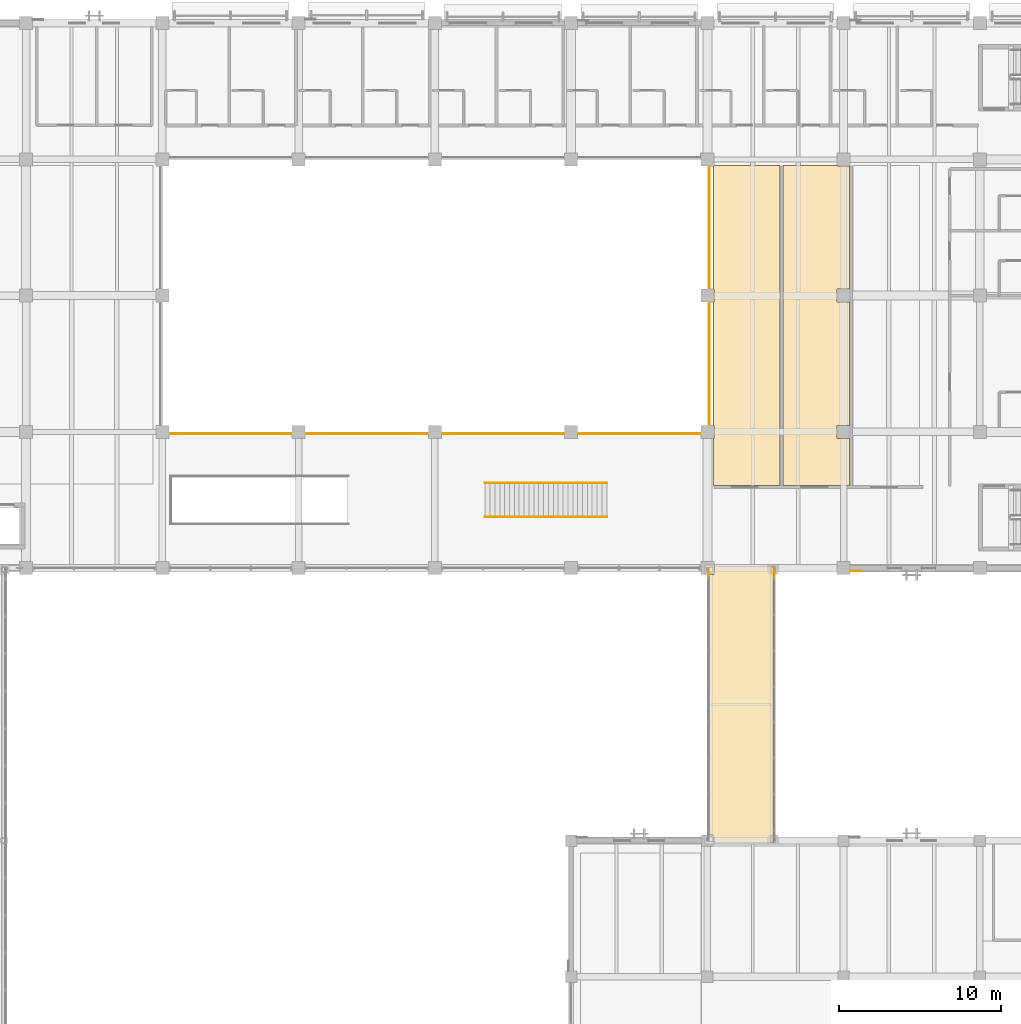
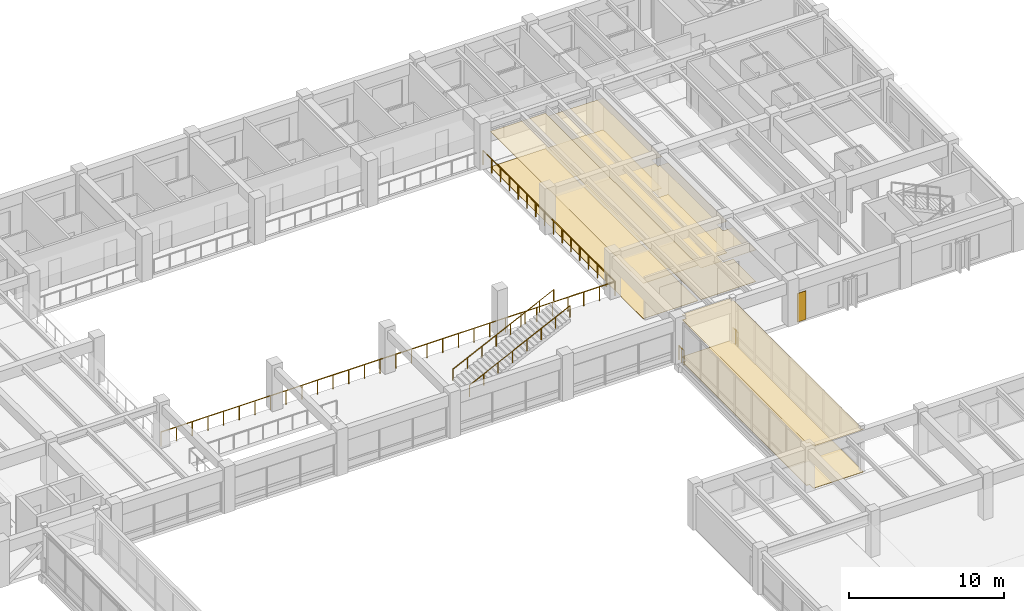
# One storey, part 115 of 118: 7 coverings, 6 railings.
"""IFC4 building model written with IfcOpenShell, lengths in metres."""

from ifc_helpers import new_model, si_unit, direction, frame, origin, origin_2d, place, context, subcontext, project, spatial, polyline, circle, outline, extrude, material, layer, layer_set, type_object, element, save


model = new_model("IFC4")

# Units and contexts
model_context = context("Model", 3, precision=1e-05, world=origin(), true_north=direction((0.0, 1.0)))
body_context = subcontext(model_context, "Body", "Model", "MODEL_VIEW")
ifc_project = project(units=[si_unit("LENGTHUNIT", "METRE"), si_unit("AREAUNIT", "SQUARE_METRE"), si_unit("VOLUMEUNIT", "CUBIC_METRE"), si_unit("PLANEANGLEUNIT", "RADIAN"), si_unit("MASSUNIT", "GRAM", prefix="KILO")], contexts=[model_context])

# Site, building, storey
site_placement = place(None, origin())
site = spatial("IfcSite", under=ifc_project, at=site_placement, CompositionType="ELEMENT")
building_placement = place(site_placement, origin())
building = spatial("IfcBuilding", under=site, at=building_placement, Name="Cumbredor Promenade Congress Hotel", CompositionType="ELEMENT")
storey_placement = place(building_placement, frame((0.0, 0.0, 3.919921875)))
storey = spatial("IfcBuildingStorey", under=building, at=storey_placement, Name="L01", CompositionType="ELEMENT", Elevation=3.919921875)

# Coverings
ifc_material_1 = material(Name="Acoustic mineral-fiber and gypsum ceiling")
ifc_layer_1 = layer(ifc_material_1, 0.01806640625, Name="Acoustic mineral-fiber and gypsum ceiling")
ifc_layer_set_1 = layer_set([ifc_layer_1], Name="Acoustic mineral-fiber and gypsum ceiling")
covering_type_1 = type_object("IfcCoveringType", Name="Acoustic Perforated Gypsum Ceiling CLG-01 18mm", PredefinedType="CEILING", material=ifc_layer_set_1)
covering_1_placement = place(storey_placement, frame((0.0, 0.0, 2.4931640625)))
element("IfcCovering", 1, at=covering_1_placement, inside=storey, type_object=covering_type_1, Name="L01 East Breakout Seminar Suite 4 Acoustic Ceiling", PredefinedType="CEILING", context=body_context, shape_type="SweptSolid", body=[
    extrude(outline(polyline([(159.969970703125, 101.205078125), (159.195068359375, 101.205078125), (159.195068359375, 100.39501953125), (159.969970703125, 100.39501953125), (159.969970703125, 92.804931640625), (159.195068359375, 92.804931640625), (159.195068359375, 91.9951171875), (159.969970703125, 91.9951171875), (159.969970703125, 89.080078125), (155.8798828125, 89.080078125), (155.8798828125, 108.820068359375), (159.195068359375, 108.820068359375), (159.195068359375, 108.794921875), (159.969970703125, 108.794921875), (159.969970703125, 101.205078125)])), origin(), (0.0, 0.0, 1.0), 0.017822265625),
])
ifc_layer_2 = layer(ifc_material_1, 0.031982421875, Name="Acoustic mineral-fiber and gypsum ceiling")
ifc_layer_set_2 = layer_set([ifc_layer_2], Name="Acoustic mineral-fiber and gypsum ceiling")
covering_type_2 = type_object("IfcCoveringType", Name="Acoustic Perforated Gypsum Ceiling CLG-04 32mm", PredefinedType="CEILING", material=ifc_layer_set_2)
covering_2_placement = place(storey_placement, frame((0.0, 0.0, 2.780029296875)))
element("IfcCovering", 2, at=covering_2_placement, inside=storey, type_object=covering_type_2, Name="L01 East Breakout Seminar Suite 3 Acoustic Ceiling", PredefinedType="CEILING", context=body_context, shape_type="SweptSolid", body=[
    extrude(outline(polyline([(151.60498046875, 92.804931640625), (151.580078125, 92.804931640625), (151.580078125, 100.39501953125), (151.60498046875, 100.39501953125), (151.60498046875, 101.205078125), (151.580078125, 101.205078125), (151.580078125, 108.794921875), (151.60498046875, 108.794921875), (151.60498046875, 108.820068359375), (155.669921875, 108.820068359375), (155.669921875, 89.080078125), (151.580078125, 89.080078125), (151.580078125, 91.9951171875), (151.60498046875, 91.9951171875), (151.60498046875, 92.804931640625)])), origin(), (0.0, 0.0, 1.0), 0.031982421875),
])
covering_3_placement = place(storey_placement, frame((0.0, 0.0, 3.328125)))
element("IfcCovering", 3, at=covering_3_placement, inside=storey, type_object=covering_type_2, Name="L01 East Ballroom-to-Forum Glazed Bridge Concourse Acoustic Ceiling", PredefinedType="CEILING", context=body_context, shape_type="SweptSolid", body=[
    extrude(outline(polyline([(155.27001953125, 84.139892578125), (155.27001953125, 67.06005859375), (151.554931640625, 67.06005859375), (151.554931640625, 67.554931640625), (151.330078125, 67.554931640625), (151.330078125, 83.594970703125), (151.60498046875, 83.594970703125), (151.60498046875, 84.139892578125), (155.27001953125, 84.139892578125)])), origin(), (0.0, 0.0, 1.0), 0.031982421875),
])
ifc_material_2 = material(Name="Precast concrete C40/50", Category="concrete")
ifc_layer_3 = layer(ifc_material_2, 0.044921875, Name="Precast concrete C40/50", Category="concrete")
ifc_layer_set_3 = layer_set([ifc_layer_3], Name="Precast concrete C40/50")
covering_type_3 = type_object("IfcCoveringType", Name="Board-Formed Architectural Cladding Panel 45mm", PredefinedType="CLADDING", material=ifc_layer_set_3)
covering_4_placement = place(storey_placement, origin())
element("IfcCovering", 4, at=covering_4_placement, inside=storey, type_object=covering_type_3, Name="L01 Facade Stone Cladding Pier 072", PredefinedType="CLADDING", context=body_context, shape_type="SweptSolid", body=[
    extrude(outline(polyline([(160.0009765625, 83.83740234375), (160.65087890625, 83.83740234375), (160.65087890625, 83.79248046875), (160.0009765625, 83.79248046875), (160.0009765625, 83.83740234375)])), origin(), (0.0, 0.0, 1.0), 2.25),
])

# Railings
ifc_material_3 = material(Name="Brushed stainless steel", Category="steel")
railing_type_1 = type_object("IfcRailingType", Name="Interior Void & Stair Guardrail GR-1100", PredefinedType="GUARDRAIL", material=ifc_material_3)
railing_1_placement = place(storey_placement, frame((117.47998046875, 92.280029296875, 0.0)))
element("IfcRailing", 5, at=railing_1_placement, inside=storey, type_object=railing_type_1, Name="L01 v4_forum_atrium Void Perimeter Guardrail 1", PredefinedType="GUARDRAIL", context=body_context, shape_type="SweptSolid", body=[
    extrude(circle(Radius=0.02392578125, at=origin_2d()), frame((0.0, 0.0, 1.09619140625), z_axis=(1.0, 0.0, 0.0), x_axis=(0.0, 1.0, 0.0)), (0.0, 0.0, 1.0), 33.840087890625),
    extrude(circle(Radius=0.02099609375, at=origin_2d()), origin(), (0.0, 0.0, 1.0), 1.072021484375),
    extrude(circle(Radius=0.02099609375, at=origin_2d()), frame((1.1669921875, 0.0, 0.0)), (0.0, 0.0, 1.0), 1.072021484375),
    extrude(circle(Radius=0.02099609375, at=origin_2d()), frame((2.333740234375, 0.0, 0.0)), (0.0, 0.0, 1.0), 1.072021484375),
    extrude(circle(Radius=0.02099609375, at=origin_2d()), frame((3.500732421875, 0.0, 0.0)), (0.0, 0.0, 1.0), 1.072021484375),
    extrude(circle(Radius=0.02099609375, at=origin_2d()), frame((4.66748046875, 0.0, 0.0)), (0.0, 0.0, 1.0), 1.072021484375),
    extrude(circle(Radius=0.02099609375, at=origin_2d()), frame((5.83447265625, 0.0, 0.0)), (0.0, 0.0, 1.0), 1.072021484375),
    extrude(circle(Radius=0.02099609375, at=origin_2d()), frame((7.00146484375, 0.0, 0.0)), (0.0, 0.0, 1.0), 1.072021484375),
    extrude(circle(Radius=0.02099609375, at=origin_2d()), frame((8.168212890625, 0.0, 0.0)), (0.0, 0.0, 1.0), 1.072021484375),
    extrude(circle(Radius=0.02099609375, at=origin_2d()), frame((9.335205078125, 0.0, 0.0)), (0.0, 0.0, 1.0), 1.072021484375),
    extrude(circle(Radius=0.02099609375, at=origin_2d()), frame((10.502197265625, 0.0, 0.0)), (0.0, 0.0, 1.0), 1.072021484375),
    extrude(circle(Radius=0.02099609375, at=origin_2d()), frame((11.6689453125, 0.0, 0.0)), (0.0, 0.0, 1.0), 1.072021484375),
    extrude(circle(Radius=0.02099609375, at=origin_2d()), frame((12.8359375, 0.0, 0.0)), (0.0, 0.0, 1.0), 1.072021484375),
    extrude(circle(Radius=0.02099609375, at=origin_2d()), frame((14.002685546875, 0.0, 0.0)), (0.0, 0.0, 1.0), 1.072021484375),
    extrude(circle(Radius=0.02099609375, at=origin_2d()), frame((15.169677734375, 0.0, 0.0)), (0.0, 0.0, 1.0), 1.072021484375),
    extrude(circle(Radius=0.02099609375, at=origin_2d()), frame((16.336669921875, 0.0, 0.0)), (0.0, 0.0, 1.0), 1.072021484375),
    extrude(circle(Radius=0.02099609375, at=origin_2d()), frame((17.50341796875, 0.0, 0.0)), (0.0, 0.0, 1.0), 1.072021484375),
    extrude(circle(Radius=0.02099609375, at=origin_2d()), frame((18.67041015625, 0.0, 0.0)), (0.0, 0.0, 1.0), 1.072021484375),
    extrude(circle(Radius=0.02099609375, at=origin_2d()), frame((19.83740234375, 0.0, 0.0)), (0.0, 0.0, 1.0), 1.072021484375),
    extrude(circle(Radius=0.02099609375, at=origin_2d()), frame((21.004150390625, 0.0, 0.0)), (0.0, 0.0, 1.0), 1.072021484375),
    extrude(circle(Radius=0.02099609375, at=origin_2d()), frame((22.171142578125, 0.0, 0.0)), (0.0, 0.0, 1.0), 1.072021484375),
    extrude(circle(Radius=0.02099609375, at=origin_2d()), frame((23.337890625, 0.0, 0.0)), (0.0, 0.0, 1.0), 1.072021484375),
    extrude(circle(Radius=0.02099609375, at=origin_2d()), frame((24.5048828125, 0.0, 0.0)), (0.0, 0.0, 1.0), 1.072021484375),
    extrude(circle(Radius=0.02099609375, at=origin_2d()), frame((25.671875, 0.0, 0.0)), (0.0, 0.0, 1.0), 1.072021484375),
    extrude(circle(Radius=0.02099609375, at=origin_2d()), frame((26.838623046875, 0.0, 0.0)), (0.0, 0.0, 1.0), 1.072021484375),
    extrude(circle(Radius=0.02099609375, at=origin_2d()), frame((28.005615234375, 0.0, 0.0)), (0.0, 0.0, 1.0), 1.072021484375),
    extrude(circle(Radius=0.02099609375, at=origin_2d()), frame((29.172607421875, 0.0, 0.0)), (0.0, 0.0, 1.0), 1.072021484375),
    extrude(circle(Radius=0.02099609375, at=origin_2d()), frame((30.33935546875, 0.0, 0.0)), (0.0, 0.0, 1.0), 1.072021484375),
    extrude(circle(Radius=0.02099609375, at=origin_2d()), frame((31.50634765625, 0.0, 0.0)), (0.0, 0.0, 1.0), 1.072021484375),
    extrude(circle(Radius=0.02099609375, at=origin_2d()), frame((32.673095703125, 0.0, 0.0)), (0.0, 0.0, 1.0), 1.072021484375),
    extrude(circle(Radius=0.02099609375, at=origin_2d()), frame((33.840087890625, 0.0, 0.0)), (0.0, 0.0, 1.0), 1.072021484375),
])
railing_2_placement = place(storey_placement, frame((151.320068359375, 92.280029296875, 0.0)))
element("IfcRailing", 6, at=railing_2_placement, inside=storey, type_object=railing_type_1, Name="L01 v4_forum_atrium Void Perimeter Guardrail 2", PredefinedType="GUARDRAIL", context=body_context, shape_type="SweptSolid", body=[
    extrude(circle(Radius=0.02392578125, at=origin_2d()), frame((0.0, 0.0, 1.09619140625), z_axis=(0.0, 1.0, 0.0), x_axis=(-1.0, 0.0, 0.0)), (0.0, 0.0, 1.0), 17.0400390625),
    extrude(circle(Radius=0.02099609375, at=origin_2d()), origin(), (0.0, 0.0, 1.0), 1.072021484375),
    extrude(circle(Radius=0.02099609375, at=origin_2d()), frame((0.0, 1.135986328125, 0.0)), (0.0, 0.0, 1.0), 1.072021484375),
    extrude(circle(Radius=0.02099609375, at=origin_2d()), frame((0.0, 2.27197265625, 0.0)), (0.0, 0.0, 1.0), 1.072021484375),
    extrude(circle(Radius=0.02099609375, at=origin_2d()), frame((0.0, 3.407958984375, 0.0)), (0.0, 0.0, 1.0), 1.072021484375),
    extrude(circle(Radius=0.02099609375, at=origin_2d()), frame((0.0, 4.5439453125, 0.0)), (0.0, 0.0, 1.0), 1.072021484375),
    extrude(circle(Radius=0.02099609375, at=origin_2d()), frame((0.0, 5.679931640625, 0.0)), (0.0, 0.0, 1.0), 1.072021484375),
    extrude(circle(Radius=0.02099609375, at=origin_2d()), frame((0.0, 6.81591796875, 0.0)), (0.0, 0.0, 1.0), 1.072021484375),
    extrude(circle(Radius=0.02099609375, at=origin_2d()), frame((0.0, 7.951904296875, 0.0)), (0.0, 0.0, 1.0), 1.072021484375),
    extrude(circle(Radius=0.02099609375, at=origin_2d()), frame((0.0, 9.088134765625, 0.0)), (0.0, 0.0, 1.0), 1.072021484375),
    extrude(circle(Radius=0.02099609375, at=origin_2d()), frame((0.0, 10.22412109375, 0.0)), (0.0, 0.0, 1.0), 1.072021484375),
    extrude(circle(Radius=0.02099609375, at=origin_2d()), frame((0.0, 11.360107421875, 0.0)), (0.0, 0.0, 1.0), 1.072021484375),
    extrude(circle(Radius=0.02099609375, at=origin_2d()), frame((0.0, 12.49609375, 0.0)), (0.0, 0.0, 1.0), 1.072021484375),
    extrude(circle(Radius=0.02099609375, at=origin_2d()), frame((0.0, 13.632080078125, 0.0)), (0.0, 0.0, 1.0), 1.072021484375),
    extrude(circle(Radius=0.02099609375, at=origin_2d()), frame((0.0, 14.76806640625, 0.0)), (0.0, 0.0, 1.0), 1.072021484375),
    extrude(circle(Radius=0.02099609375, at=origin_2d()), frame((0.0, 15.904052734375, 0.0)), (0.0, 0.0, 1.0), 1.072021484375),
    extrude(circle(Radius=0.02099609375, at=origin_2d()), frame((0.0, 17.0400390625, 0.0)), (0.0, 0.0, 1.0), 1.072021484375),
])

# Coverings
ifc_material_4 = material(Name="Porcelain stoneware tile", Category="masonry")
ifc_layer_4 = layer(ifc_material_4, 0.02001953125, Name="Porcelain stoneware tile", Category="masonry")
ifc_layer_set_4 = layer_set([ifc_layer_4], Name="Porcelain stoneware tile")
covering_type_4 = type_object("IfcCoveringType", Name="Porcelain Stoneware Flooring FLR-01 20mm", PredefinedType="FLOORING", material=ifc_layer_set_4)
covering_5_placement = place(storey_placement, origin())
element("IfcCovering", 7, at=covering_5_placement, inside=storey, type_object=covering_type_4, Name="L01 East Breakout Seminar Suite 3 Porcelain Flooring", PredefinedType="FLOORING", context=body_context, shape_type="SweptSolid", body=[
    extrude(outline(polyline([(151.60498046875, 92.804931640625), (151.580078125, 92.804931640625), (151.580078125, 100.39501953125), (151.60498046875, 100.39501953125), (151.60498046875, 101.205078125), (151.580078125, 101.205078125), (151.580078125, 108.794921875), (151.60498046875, 108.794921875), (151.60498046875, 108.820068359375), (155.669921875, 108.820068359375), (155.669921875, 89.080078125), (151.580078125, 89.080078125), (151.580078125, 91.9951171875), (151.60498046875, 91.9951171875), (151.60498046875, 92.804931640625)])), origin(), (0.0, 0.0, 1.0), 0.02001953125),
])
ifc_layer_5 = layer(ifc_material_4, 0.02490234375, Name="Porcelain stoneware tile", Category="masonry")
ifc_layer_set_5 = layer_set([ifc_layer_5], Name="Porcelain stoneware tile")
covering_type_5 = type_object("IfcCoveringType", Name="Porcelain Stoneware Flooring FLR-02 25mm", PredefinedType="FLOORING", material=ifc_layer_set_5)
covering_6_placement = place(storey_placement, origin())
element("IfcCovering", 8, at=covering_6_placement, inside=storey, type_object=covering_type_5, Name="L01 East Breakout Seminar Suite 4 Porcelain Flooring", PredefinedType="FLOORING", context=body_context, shape_type="SweptSolid", body=[
    extrude(outline(polyline([(159.969970703125, 101.205078125), (159.195068359375, 101.205078125), (159.195068359375, 100.39501953125), (159.969970703125, 100.39501953125), (159.969970703125, 92.804931640625), (159.195068359375, 92.804931640625), (159.195068359375, 91.9951171875), (159.969970703125, 91.9951171875), (159.969970703125, 89.080078125), (155.8798828125, 89.080078125), (155.8798828125, 108.820068359375), (159.195068359375, 108.820068359375), (159.195068359375, 108.794921875), (159.969970703125, 108.794921875), (159.969970703125, 101.205078125)])), origin(), (0.0, 0.0, 1.0), 0.025146484375),
])
ifc_layer_6 = layer(ifc_material_4, 0.030029296875, Name="Porcelain stoneware tile", Category="masonry")
ifc_layer_set_6 = layer_set([ifc_layer_6], Name="Porcelain stoneware tile")
covering_type_6 = type_object("IfcCoveringType", Name="Porcelain Stoneware Flooring FLR-03 30mm", PredefinedType="FLOORING", material=ifc_layer_set_6)
covering_7_placement = place(storey_placement, origin())
element("IfcCovering", 9, at=covering_7_placement, inside=storey, type_object=covering_type_6, Name="L01 East Ballroom-to-Forum Glazed Bridge Concourse Porcelain Flooring", PredefinedType="FLOORING", context=body_context, shape_type="SweptSolid", body=[
    extrude(outline(polyline([(155.27001953125, 84.139892578125), (155.27001953125, 67.06005859375), (151.554931640625, 67.06005859375), (151.554931640625, 67.554931640625), (151.330078125, 67.554931640625), (151.330078125, 83.594970703125), (151.60498046875, 83.594970703125), (151.60498046875, 84.139892578125), (155.27001953125, 84.139892578125)])), origin(), (0.0, 0.0, 1.0), 0.030029296875),
])

# Railings
railing_type_2 = type_object("IfcRailingType", Name="Sky Garden Glass-and-Steel Balustrade BAL-1150", PredefinedType="BALUSTRADE", material=ifc_material_3)
for number, where, name in (
    (10, (151.280029296875, 83.300048828125, 0.0), "L01 East Ballroom-to-Forum Glazed Bridge End Guardrail NW"),
    (11, (155.320068359375, 83.300048828125, 0.0), "L01 East Ballroom-to-Forum Glazed Bridge End Guardrail NE"),
):
    element("IfcRailing", number, at=place(storey_placement, frame(where)), inside=storey, type_object=railing_type_2, Name=name, PredefinedType="BALUSTRADE", context=body_context, shape_type="SweptSolid", body=[
        extrude(circle(Radius=0.02392578125, at=origin_2d()), frame((0.0, 0.0, 1.1259765625), z_axis=(0.0, 1.0, 0.0), x_axis=(-1.0, 0.0, 0.0)), (0.0, 0.0, 1.0), 0.669921875),
        extrude(circle(Radius=0.02099609375, at=origin_2d()), origin(), (0.0, 0.0, 1.0), 1.101806640625),
        extrude(circle(Radius=0.02099609375, at=origin_2d()), frame((0.0, 0.3349609375, 0.0)), (0.0, 0.0, 1.0), 1.101806640625),
        extrude(circle(Radius=0.02099609375, at=origin_2d()), frame((0.0, 0.669921875, 0.0)), (0.0, 0.0, 1.0), 1.101806640625),
    ])
railing_type_3 = type_object("IfcRailingType", Name="Stair Pitch Handrail HR-900", PredefinedType="HANDRAIL", material=ifc_material_3)
for number, where, name in (
    (12, (137.50390625, 87.14990234375, -0.0029296875), "Forum Atrium Ceremonial Stair Upper Handrail R"),
    (13, (137.50390625, 89.25, -0.0029296875), "Forum Atrium Ceremonial Stair Upper Handrail L"),
):
    element("IfcRailing", number, at=place(storey_placement, frame(where)), inside=storey, type_object=railing_type_3, Name=name, PredefinedType="HANDRAIL", context=body_context, shape_type="SweptSolid", body=[
        extrude(circle(Radius=0.02099609375, at=origin_2d()), frame((0.0, 0.0, 0.87890625), z_axis=(0.899647866259, 0.0, 0.436616212176), x_axis=(0.0, 1.0, 0.0)), (0.0, 0.0, 1.0), 8.336669921875),
        extrude(circle(Radius=0.01806640625, at=origin_2d()), origin(), (0.0, 0.0, 1.0), 0.85791015625),
        extrude(circle(Radius=0.01806640625, at=origin_2d()), frame((1.071533203125, 0.0, 0.52001953125)), (0.0, 0.0, 1.0), 0.85791015625),
        extrude(circle(Radius=0.01806640625, at=origin_2d()), frame((2.142822265625, 0.0, 1.0400390625)), (0.0, 0.0, 1.0), 0.85791015625),
        extrude(circle(Radius=0.01806640625, at=origin_2d()), frame((3.21435546875, 0.0, 1.56005859375)), (0.0, 0.0, 1.0), 0.85791015625),
        extrude(circle(Radius=0.01806640625, at=origin_2d()), frame((4.28564453125, 0.0, 2.079833984375)), (0.0, 0.0, 1.0), 0.85791015625),
        extrude(circle(Radius=0.01806640625, at=origin_2d()), frame((5.357177734375, 0.0, 2.599853515625)), (0.0, 0.0, 1.0), 0.85791015625),
        extrude(circle(Radius=0.01806640625, at=origin_2d()), frame((6.428466796875, 0.0, 3.119873046875)), (0.0, 0.0, 1.0), 0.85791015625),
        extrude(circle(Radius=0.01806640625, at=origin_2d()), frame((7.5, 0.0, 3.639892578125)), (0.0, 0.0, 1.0), 0.85791015625),
    ])

save(model, "model.ifc")
